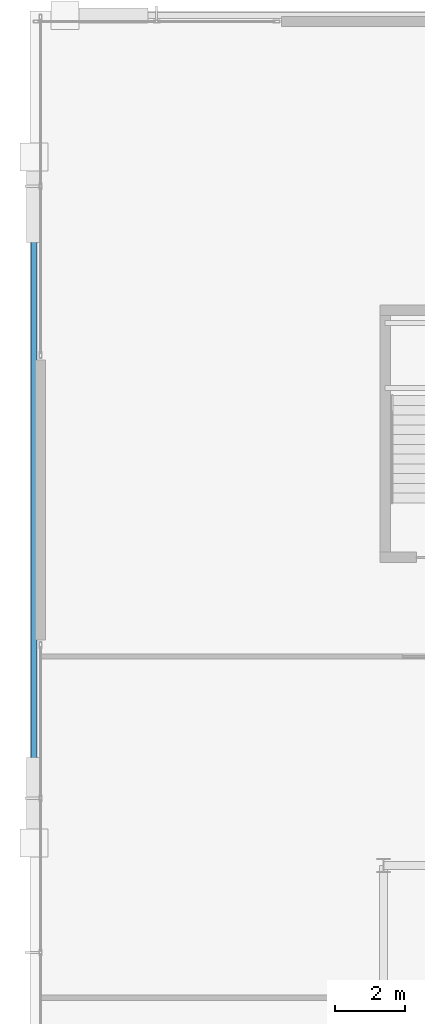
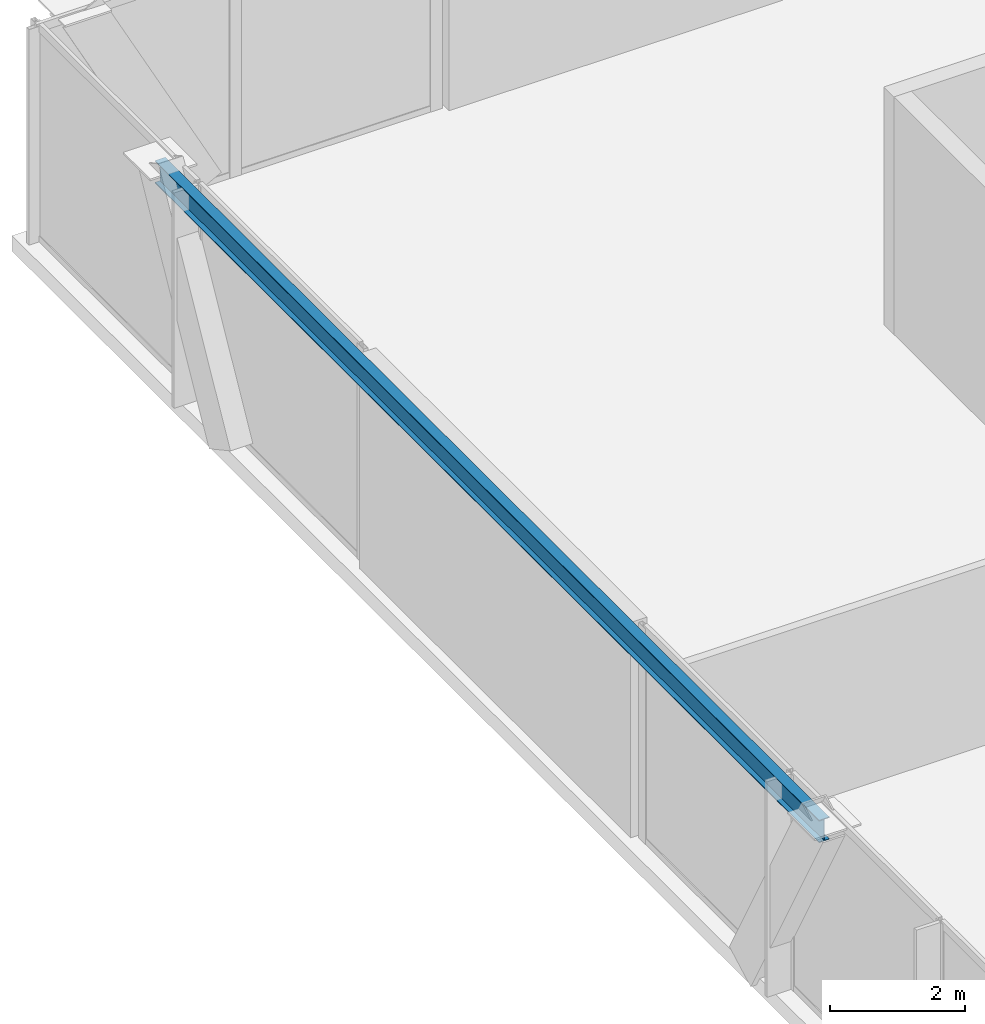
# One storey, part 23 of 46: 1 beam.
"""IFC4 building model written with IfcOpenShell, lengths in metres."""

from ifc_helpers import new_model, si_unit, direction, frame, origin, origin_2d, place, context, subcontext, project, spatial, i_section, extrude, material, material_profile, profile_set, type_object, element, save


model = new_model("IFC4")

# Units and contexts
model_context = context("Model", 3, precision=1e-05, world=origin(), true_north=direction((0.0, 1.0)))
body_context = subcontext(model_context, "Body", "Model", "MODEL_VIEW")
ifc_project = project(units=[si_unit("LENGTHUNIT", "METRE"), si_unit("AREAUNIT", "SQUARE_METRE"), si_unit("VOLUMEUNIT", "CUBIC_METRE"), si_unit("PLANEANGLEUNIT", "RADIAN"), si_unit("MASSUNIT", "GRAM", prefix="KILO")], contexts=[model_context])

# Site, building, storey
site_placement = place(None, origin())
site = spatial("IfcSite", under=ifc_project, at=site_placement, CompositionType="ELEMENT")
building_placement = place(site_placement, origin())
building = spatial("IfcBuilding", under=site, at=building_placement, Name="Orvanel Arch Residences", CompositionType="ELEMENT")
storey_placement = place(building_placement, frame((0.0, 0.0, 14.10009765625)))
storey = spatial("IfcBuildingStorey", under=building, at=storey_placement, Name="L03", CompositionType="ELEMENT", Elevation=14.10009765625)

# Beam
ifc_material = material(Name="Structural steel AS/NZS 3679.1 Grade 300 (300 MPa)", Category="steel")
ifc_material_profile = material_profile(ifc_material, i_section(OverallWidth=0.177978515625, OverallDepth=0.406005859375, WebThickness=0.0078125, FlangeThickness=0.0126953125, at=origin_2d()), Name="410UB59.7")
ifc_profile_set = profile_set([ifc_material_profile], Name="Structural steel AS/NZS 3679.1 Grade 300 (300 MPa)")
beam_type = type_object("IfcBeamType", Name="OB-410UB-EXT", PredefinedType="SPANDREL", material=ifc_profile_set)
beam_placement = place(storey_placement, frame((1.360107421875, 30.64990234375, 3.697021484375), z_axis=(0.0, 1.0, 0.0), x_axis=(-1.0, 0.0, 0.0)))
element("IfcBeam", 1, at=beam_placement, inside=storey, type_object=beam_type, Name="L03 Podium V-Frame Collector Spandrel Beam W2", PredefinedType="SPANDREL", context=body_context, shape_type="SweptSolid", body=[
    extrude(i_section(OverallWidth=0.177978515625, OverallDepth=0.406005859375, WebThickness=0.0078125, FlangeThickness=0.0126953125, at=origin_2d()), origin(), (0.0, 0.0, 1.0), 19.7001953125),
])

save(model, "model.ifc")
